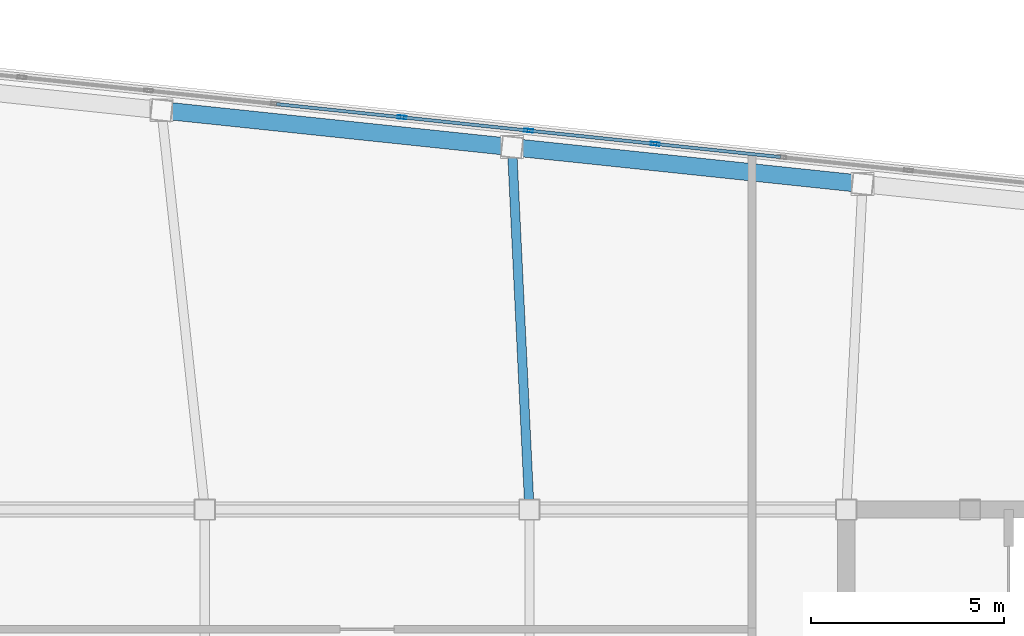
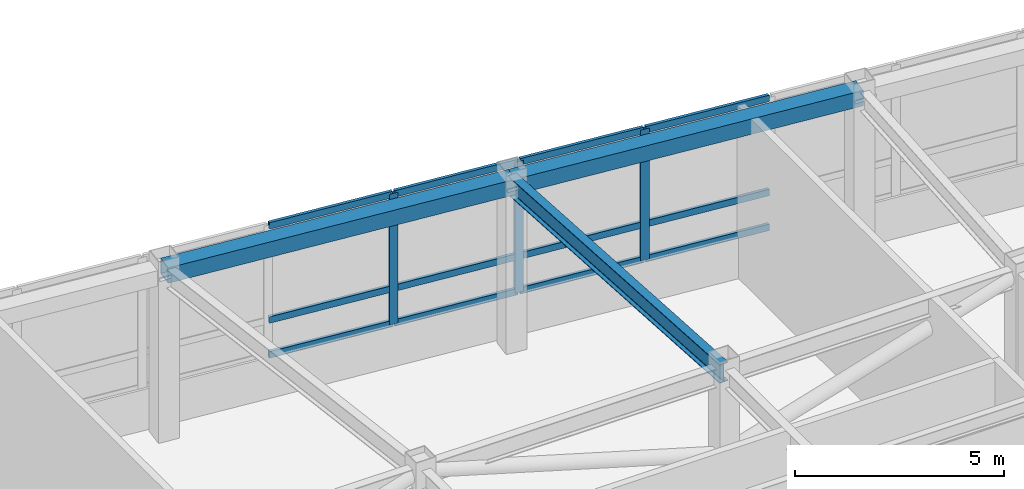
# One storey, part 16 of 23: 15 members, 3 beams, 1 element without a shape of its own.
"""IFC4 building model written with IfcOpenShell, lengths in metres."""

from ifc_helpers import new_model, si_unit, direction, frame, origin, origin_2d, place, context, subcontext, project, spatial, hollow_rectangle, i_section, extrude, material, layer, layer_set, material_profile, profile_set, type_object, element, aggregate, save


model = new_model("IFC4")

# Units and contexts
model_context = context("Model", 3, precision=1e-05, world=origin(), true_north=direction((0.0, 1.0)))
body_context = subcontext(model_context, "Body", "Model", "MODEL_VIEW")
ifc_project = project(units=[si_unit("LENGTHUNIT", "METRE"), si_unit("AREAUNIT", "SQUARE_METRE"), si_unit("VOLUMEUNIT", "CUBIC_METRE"), si_unit("PLANEANGLEUNIT", "RADIAN"), si_unit("MASSUNIT", "GRAM", prefix="KILO")], contexts=[model_context])

# Site, building, storey
site_placement = place(None, origin())
site = spatial("IfcSite", under=ifc_project, at=site_placement, CompositionType="ELEMENT")
building_placement = place(site_placement, origin())
building = spatial("IfcBuilding", under=site, at=building_placement, Name="Voryun Gate Residences", CompositionType="ELEMENT")
storey_placement = place(building_placement, frame((0.0, 0.0, 321.300048828125)))
storey = spatial("IfcBuildingStorey", under=building, at=storey_placement, Name="L79", CompositionType="ELEMENT", Elevation=321.300048828125)

# Beams
ifc_material_1 = material(Name="Steel SM355", Category="steel")
ifc_material_profile_1 = material_profile(ifc_material_1, hollow_rectangle(XDim=0.449951171875, YDim=0.449951171875, WallThickness=0.01806640625, at=origin_2d()), Name="BOX-450x450x18")
ifc_profile_set_1 = profile_set([ifc_material_profile_1], Name="Steel SM355")
beam_type_1 = type_object("IfcBeamType", Name="BM_CROWN_RING", PredefinedType="BEAM", material=ifc_profile_set_1)
for number, where, z_axis, x_axis, name in (
    (1, (12.818603515625, 15.824951171875, 4.800048828125), (-0.994521136856, 0.104535679778, 0.0), (-0.104535679778, -0.994521136856, 0.0), "BM-L79-SPAND-12"),
    (2, (3.74853515625, 16.7783203125, 4.800048828125), (-0.994521136856, 0.104535679778, 0.0), (-0.104535679778, -0.994521136856, 0.0), "BM-L79-SPAND-13"),
):
    element("IfcBeam", number, at=place(storey_placement, frame(where, z_axis=z_axis, x_axis=x_axis)), inside=storey, type_object=beam_type_1, Name=name, PredefinedType="BEAM", context=body_context, shape_type="SweptSolid", body=[
        extrude(hollow_rectangle(XDim=0.449951171875, YDim=0.449951171875, WallThickness=0.01806640625, at=origin_2d()), origin(), (0.0, 0.0, 1.0), 9.1201171875),
    ])
ifc_material_2 = material(Name="Steel SM355", Category="steel")
ifc_material_profile_2 = material_profile(ifc_material_2, i_section(OverallWidth=0.239990234375, OverallDepth=0.550048828125, WebThickness=0.011962890625, FlangeThickness=0.02001953125, FilletRadius=0.01806640625, at=origin_2d()), Name="H-550x240x12x20")
ifc_profile_set_2 = profile_set([ifc_material_profile_2], Name="Steel SM355")
beam_type_2 = type_object("IfcBeamType", Name="BM_GIRD_550", PredefinedType="USERDEFINED", material=ifc_profile_set_2)
beam_placement = place(storey_placement, frame((4.199951171875, 7.39990234375, 4.75), z_axis=(-0.048077831062, 0.998843592441, 0.0), x_axis=(-0.998843592441, -0.048077831062, 0.0)))
element("IfcBeam", 3, at=beam_placement, inside=storey, type_object=beam_type_2, Name="BM-L79-RAD-N3", ObjectType="GIRDER", PredefinedType="USERDEFINED", context=body_context, shape_type="SweptSolid", body=[
    extrude(i_section(OverallWidth=0.239990234375, OverallDepth=0.550048828125, WebThickness=0.011962890625, FlangeThickness=0.02001953125, FilletRadius=0.01806640625, at=origin_2d()), origin(), (0.0, 0.0, 1.0), 9.38916015625),
])

# Curtain wall, members
ifc_material_3 = material(Name="Anodised aluminium", Category="aluminium")
ifc_layer = layer(ifc_material_3, 0.22998046875, Name="CW_SYS_LANTERN_DARK_GLASS")
ifc_layer_set = layer_set([ifc_layer], Name="Anodised aluminium")
curtain_wall_type = type_object("IfcCurtainWallType", Name="CW_SYS_LANTERN_DARK_GLASS", PredefinedType="NOTDEFINED", material=ifc_layer_set)
curtain_wall_placement = place(storey_placement, origin())
curtain_wall = element("IfcCurtainWall", 4, at=curtain_wall_placement, inside=storey, type_object=curtain_wall_type, Name="Curtain wall CW6-L79-11", PredefinedType="NOTDEFINED")
ifc_material_4 = material(Name="Anodised aluminium", Category="aluminium")
ifc_material_profile_3 = material_profile(ifc_material_4, hollow_rectangle(XDim=0.0849609375, YDim=0.22998046875, WallThickness=0.006103515625, at=origin_2d()), Name="ALU-MULL-230x85x6")
ifc_profile_set_3 = profile_set([ifc_material_profile_3], Name="Anodised aluminium")
member_type_1 = type_object("IfcMemberType", Name="CW_MULL_LANT", PredefinedType="MULLION", material=ifc_profile_set_3)
member_1_placement = place(storey_placement, frame((0.90087890625, 17.55029296875, 1.18994140625), z_axis=(0.0, 0.0, 1.0), x_axis=(0.10452775858, 0.994521969434, 0.0)))
member_1 = element("IfcMember", 5, at=member_1_placement, type_object=member_type_1, Name="CW6 mullion 8", PredefinedType="MULLION", context=body_context, shape_type="SweptSolid", body=[
    extrude(hollow_rectangle(XDim=0.0849609375, YDim=0.22998046875, WallThickness=0.006103515625, at=origin_2d()), origin(), (0.0, 0.0, 1.0), 3.8349609375),
])
member_2_placement = place(storey_placement, frame((4.177490234375, 17.205810546875, 1.18994140625), z_axis=(0.0, 0.0, 1.0), x_axis=(0.10452775858, 0.994521969434, 0.0)))
member_2 = element("IfcMember", 6, at=member_2_placement, type_object=member_type_1, Name="CW6 mullion 9", PredefinedType="MULLION", context=body_context, shape_type="SweptSolid", body=[
    extrude(hollow_rectangle(XDim=0.0849609375, YDim=0.22998046875, WallThickness=0.006103515625, at=origin_2d()), origin(), (0.0, 0.0, 1.0), 3.8349609375),
])
member_3_placement = place(storey_placement, frame((7.4541015625, 16.861328125, 1.18994140625), z_axis=(0.0, 0.0, 1.0), x_axis=(0.10452775858, 0.994521969434, 0.0)))
member_3 = element("IfcMember", 7, at=member_3_placement, type_object=member_type_1, Name="CW6 mullion 10", PredefinedType="MULLION", context=body_context, shape_type="SweptSolid", body=[
    extrude(hollow_rectangle(XDim=0.0849609375, YDim=0.22998046875, WallThickness=0.006103515625, at=origin_2d()), origin(), (0.0, 0.0, 1.0), 3.8349609375),
])
ifc_material_5 = material(Name="Anodised aluminium", Category="aluminium")
ifc_material_profile_4 = material_profile(ifc_material_5, hollow_rectangle(XDim=0.0849609375, YDim=0.18994140625, WallThickness=0.006103515625, at=origin_2d()), Name="ALU-TRAN-190x85x6")
ifc_profile_set_4 = profile_set([ifc_material_profile_4], Name="Anodised aluminium")
member_type_2 = type_object("IfcMemberType", Name="CW_TRAN_LANT", PredefinedType="USERDEFINED", material=ifc_profile_set_4)
member_4_placement = place(storey_placement, frame((-2.345947265625, 17.891357421875, 1.219970703125), z_axis=(0.994521569819, -0.104531560613, 0.0), x_axis=(0.104531560613, 0.994521569819, 0.0)))
member_4 = element("IfcMember", 8, at=member_4_placement, type_object=member_type_2, Name="CW6 transom 7.1", ObjectType="TRANSOM", PredefinedType="USERDEFINED", context=body_context, shape_type="SweptSolid", body=[
    extrude(hollow_rectangle(XDim=0.0849609375, YDim=0.18994140625, WallThickness=0.006103515625, at=origin_2d()), origin(), (0.0, 0.0, 1.0), 3.23486328125),
])
member_5_placement = place(storey_placement, frame((-2.345947265625, 17.891357421875, 2.239990234375), z_axis=(0.994521569819, -0.104531560613, 0.0), x_axis=(0.104531560613, 0.994521569819, 0.0)))
member_5 = element("IfcMember", 9, at=member_5_placement, type_object=member_type_2, Name="CW6 transom 7.2", ObjectType="TRANSOM", PredefinedType="USERDEFINED", context=body_context, shape_type="SweptSolid", body=[
    extrude(hollow_rectangle(XDim=0.0849609375, YDim=0.18994140625, WallThickness=0.006103515625, at=origin_2d()), origin(), (0.0, 0.0, 1.0), 3.23486328125),
])
member_6_placement = place(storey_placement, frame((-2.345947265625, 17.891357421875, 4.994873046875), z_axis=(0.994521569819, -0.104531560613, 0.0), x_axis=(0.104531560613, 0.994521569819, 0.0)))
member_6 = element("IfcMember", 10, at=member_6_placement, type_object=member_type_2, Name="CW6 transom 7.3", ObjectType="TRANSOM", PredefinedType="USERDEFINED", context=body_context, shape_type="SweptSolid", body=[
    extrude(hollow_rectangle(XDim=0.0849609375, YDim=0.18994140625, WallThickness=0.006103515625, at=origin_2d()), origin(), (0.0, 0.0, 1.0), 3.23486328125),
])
member_7_placement = place(storey_placement, frame((0.930908203125, 17.547119140625, 1.219970703125), z_axis=(0.994520745033, -0.104539407398, 0.0), x_axis=(0.104539407398, 0.994520745033, 0.0)))
member_7 = element("IfcMember", 11, at=member_7_placement, type_object=member_type_2, Name="CW6 transom 8.1", ObjectType="TRANSOM", PredefinedType="USERDEFINED", context=body_context, shape_type="SweptSolid", body=[
    extrude(hollow_rectangle(XDim=0.0849609375, YDim=0.18994140625, WallThickness=0.006103515625, at=origin_2d()), origin(), (0.0, 0.0, 1.0), 3.234619140625),
])
member_8_placement = place(storey_placement, frame((0.930908203125, 17.547119140625, 2.239990234375), z_axis=(0.994520745033, -0.104539407398, 0.0), x_axis=(0.104539407398, 0.994520745033, 0.0)))
member_8 = element("IfcMember", 12, at=member_8_placement, type_object=member_type_2, Name="CW6 transom 8.2", ObjectType="TRANSOM", PredefinedType="USERDEFINED", context=body_context, shape_type="SweptSolid", body=[
    extrude(hollow_rectangle(XDim=0.0849609375, YDim=0.18994140625, WallThickness=0.006103515625, at=origin_2d()), origin(), (0.0, 0.0, 1.0), 3.234619140625),
])
member_9_placement = place(storey_placement, frame((0.930908203125, 17.547119140625, 4.994873046875), z_axis=(0.994520745033, -0.104539407398, 0.0), x_axis=(0.104539407398, 0.994520745033, 0.0)))
member_9 = element("IfcMember", 13, at=member_9_placement, type_object=member_type_2, Name="CW6 transom 8.3", ObjectType="TRANSOM", PredefinedType="USERDEFINED", context=body_context, shape_type="SweptSolid", body=[
    extrude(hollow_rectangle(XDim=0.0849609375, YDim=0.18994140625, WallThickness=0.006103515625, at=origin_2d()), origin(), (0.0, 0.0, 1.0), 3.234619140625),
])
member_10_placement = place(storey_placement, frame((4.20751953125, 17.20263671875, 1.219970703125), z_axis=(0.994520745033, -0.104539407398, 0.0), x_axis=(0.104539407398, 0.994520745033, 0.0)))
member_10 = element("IfcMember", 14, at=member_10_placement, type_object=member_type_2, Name="CW6 transom 9.1", ObjectType="TRANSOM", PredefinedType="USERDEFINED", context=body_context, shape_type="SweptSolid", body=[
    extrude(hollow_rectangle(XDim=0.0849609375, YDim=0.18994140625, WallThickness=0.006103515625, at=origin_2d()), origin(), (0.0, 0.0, 1.0), 3.234619140625),
])
member_11_placement = place(storey_placement, frame((4.20751953125, 17.20263671875, 2.239990234375), z_axis=(0.994520745033, -0.104539407398, 0.0), x_axis=(0.104539407398, 0.994520745033, 0.0)))
member_11 = element("IfcMember", 15, at=member_11_placement, type_object=member_type_2, Name="CW6 transom 9.2", ObjectType="TRANSOM", PredefinedType="USERDEFINED", context=body_context, shape_type="SweptSolid", body=[
    extrude(hollow_rectangle(XDim=0.0849609375, YDim=0.18994140625, WallThickness=0.006103515625, at=origin_2d()), origin(), (0.0, 0.0, 1.0), 3.234619140625),
])
member_12_placement = place(storey_placement, frame((4.20751953125, 17.20263671875, 4.994873046875), z_axis=(0.994520745033, -0.104539407398, 0.0), x_axis=(0.104539407398, 0.994520745033, 0.0)))
member_12 = element("IfcMember", 16, at=member_12_placement, type_object=member_type_2, Name="CW6 transom 9.3", ObjectType="TRANSOM", PredefinedType="USERDEFINED", context=body_context, shape_type="SweptSolid", body=[
    extrude(hollow_rectangle(XDim=0.0849609375, YDim=0.18994140625, WallThickness=0.006103515625, at=origin_2d()), origin(), (0.0, 0.0, 1.0), 3.234619140625),
])
member_13_placement = place(storey_placement, frame((7.484130859375, 16.8583984375, 1.219970703125), z_axis=(0.994520745033, -0.104539407398, 0.0), x_axis=(0.104539407398, 0.994520745033, 0.0)))
member_13 = element("IfcMember", 17, at=member_13_placement, type_object=member_type_2, Name="CW6 transom 10.1", ObjectType="TRANSOM", PredefinedType="USERDEFINED", context=body_context, shape_type="SweptSolid", body=[
    extrude(hollow_rectangle(XDim=0.0849609375, YDim=0.18994140625, WallThickness=0.006103515625, at=origin_2d()), origin(), (0.0, 0.0, 1.0), 3.234619140625),
])
member_14_placement = place(storey_placement, frame((7.484130859375, 16.8583984375, 2.239990234375), z_axis=(0.994520745033, -0.104539407398, 0.0), x_axis=(0.104539407398, 0.994520745033, 0.0)))
member_14 = element("IfcMember", 18, at=member_14_placement, type_object=member_type_2, Name="CW6 transom 10.2", ObjectType="TRANSOM", PredefinedType="USERDEFINED", context=body_context, shape_type="SweptSolid", body=[
    extrude(hollow_rectangle(XDim=0.0849609375, YDim=0.18994140625, WallThickness=0.006103515625, at=origin_2d()), origin(), (0.0, 0.0, 1.0), 3.234619140625),
])
member_15_placement = place(storey_placement, frame((7.484130859375, 16.8583984375, 4.994873046875), z_axis=(0.994520745033, -0.104539407398, 0.0), x_axis=(0.104539407398, 0.994520745033, 0.0)))
member_15 = element("IfcMember", 19, at=member_15_placement, type_object=member_type_2, Name="CW6 transom 10.3", ObjectType="TRANSOM", PredefinedType="USERDEFINED", context=body_context, shape_type="SweptSolid", body=[
    extrude(hollow_rectangle(XDim=0.0849609375, YDim=0.18994140625, WallThickness=0.006103515625, at=origin_2d()), origin(), (0.0, 0.0, 1.0), 3.234619140625),
])
aggregate(curtain_wall, [member_1, member_2, member_3, member_4, member_5, member_6, member_7, member_8, member_9, member_10, member_11, member_12, member_13, member_14, member_15])

save(model, "model.ifc")
